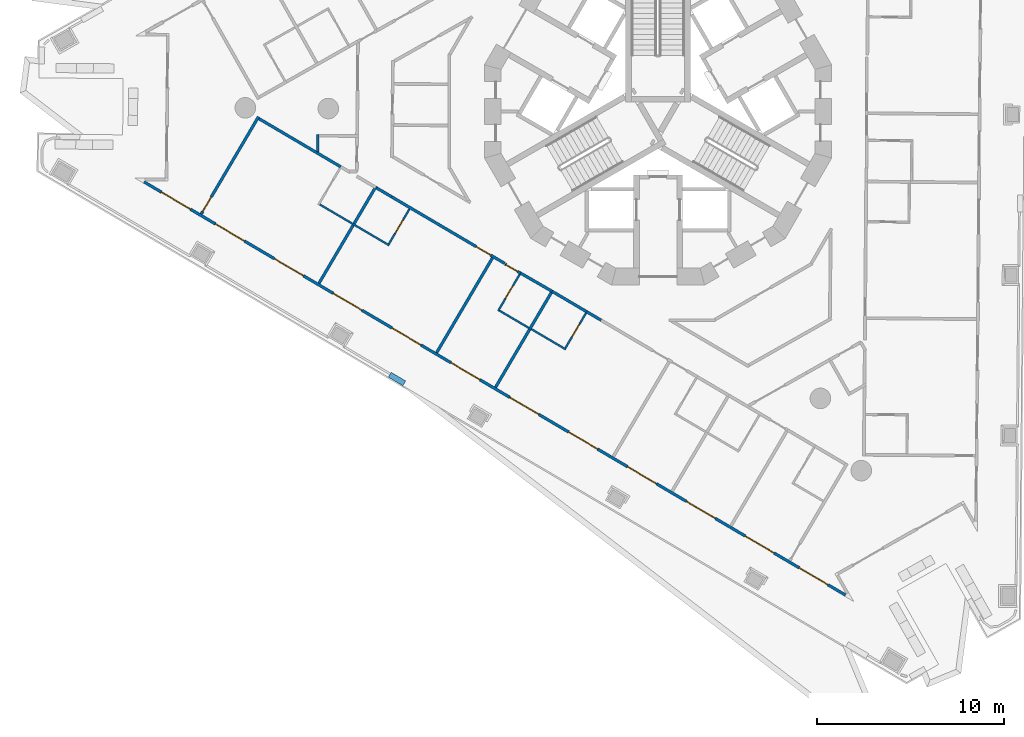
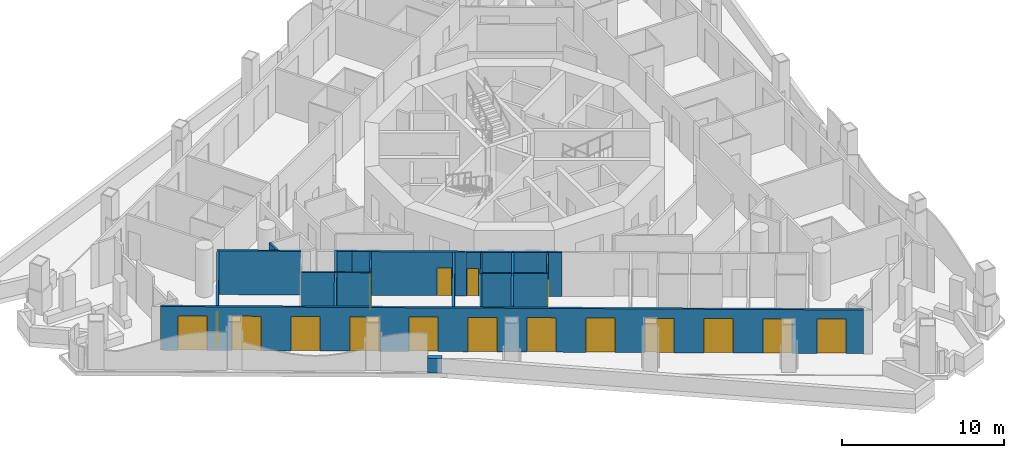
# One storey, part 2 of 18: 22 walls, 18 doors, 18 openings.
"""IFC4 building model written with IfcOpenShell, lengths in metres."""

from ifc_helpers import new_model, si_unit, direction, frame, frame_2d, origin, place, context, subcontext, project, spatial, polyline, rectangle, outline, extrude, material, layer, layer_set, type_object, element, fill, save


model = new_model("IFC4")

# Units and contexts
model_context = context("Model", 3, precision=1e-05, world=origin(), true_north=direction((0.0, 1.0)))
body_context = subcontext(model_context, "Body", "Model", "MODEL_VIEW")
ifc_project = project(units=[si_unit("LENGTHUNIT", "METRE"), si_unit("AREAUNIT", "SQUARE_METRE"), si_unit("VOLUMEUNIT", "CUBIC_METRE"), si_unit("PLANEANGLEUNIT", "RADIAN"), si_unit("MASSUNIT", "GRAM", prefix="KILO")], contexts=[model_context])

# Site, building, storey
site_placement = place(None, origin())
site = spatial("IfcSite", under=ifc_project, at=site_placement, CompositionType="ELEMENT")
building_placement = place(site_placement, origin())
building = spatial("IfcBuilding", under=site, at=building_placement, Name="Trine Commons Tower", CompositionType="ELEMENT")
storey_placement = place(building_placement, frame((0.0, 0.0, 161.10009765625)))
storey = spatial("IfcBuildingStorey", under=building, at=storey_placement, Name="L41", CompositionType="ELEMENT", Elevation=161.10009765625)

# Wall, openings, doors
ifc_material_1 = material(Name="Aluminium-framed insulated wall panel", Category="aluminium")
ifc_layer_1 = layer(ifc_material_1, 0.14990234375)
ifc_layer_set_1 = layer_set([ifc_layer_1], Name="Aluminium-framed insulated wall panel")
wall_type_1 = type_object("IfcWallType", Name="Glazed frame wall 150, EI 60", PredefinedType="SOLIDWALL", material=ifc_layer_set_1)
wall_1_placement = place(storey_placement, frame((90.139404296875, 36.59716796875, 0.0), z_axis=(0.0, 0.0, 1.0), x_axis=(-0.861630336939, 0.507536365659, 0.0)))
wall_1 = element("IfcWall", 1, at=wall_1_placement, inside=storey, type_object=wall_type_1, Name="Glazed frame wall F3", PredefinedType="SOLIDWALL", context=body_context, shape_type="SweptSolid", body=[
    extrude(outline(polyline([(0.1494140625, 0.074951171875), (0.1494140625, -0.074951171875), (43.616943359375, -0.074951171875), (43.616943359375, 0.074951171875), (0.1494140625, 0.074951171875)])), origin(), (0.0, 0.0, 1.0), 3.2998046875),
])
opening_1_placement = place(wall_1_placement, frame((1.2236328125, 0.0, 0.0)))
opening_1 = element("IfcOpeningElement", 2, at=opening_1_placement, cuts=wall_1, Name="Opening BD-5F3-01", PredefinedType="OPENING", context=body_context, shape_type="SweptSolid", body=[
    extrude(rectangle(XDim=1.800048828125, YDim=2.60009765625, at=frame_2d((0.89990234375, 1.300048828125))), frame((0.0, 0.0849609375, 0.0), z_axis=(0.0, -1.0, 0.0), x_axis=(1.0, 0.0, 0.0)), (0.0, 0.0, 1.0), 0.169921875),
])
opening_2_placement = place(wall_1_placement, frame((4.57080078125, 0.0, 0.0)))
opening_2 = element("IfcOpeningElement", 3, at=opening_2_placement, cuts=wall_1, Name="Opening BD-5F3-02", PredefinedType="OPENING", context=body_context, shape_type="SweptSolid", body=[
    extrude(rectangle(XDim=1.800048828125, YDim=2.60009765625, at=frame_2d((0.89990234375, 1.300048828125))), frame((0.0, 0.0849609375, 0.0), z_axis=(0.0, -1.0, 0.0), x_axis=(1.0, 0.0, 0.0)), (0.0, 0.0, 1.0), 0.169921875),
])
opening_3_placement = place(wall_1_placement, frame((8.218017578125, 0.0, 0.0)))
opening_3 = element("IfcOpeningElement", 4, at=opening_3_placement, cuts=wall_1, Name="Opening BD-5F3-03", PredefinedType="OPENING", context=body_context, shape_type="SweptSolid", body=[
    extrude(rectangle(XDim=1.800048828125, YDim=2.60009765625, at=frame_2d((0.89990234375, 1.300048828125))), frame((0.0, 0.0849609375, 0.0), z_axis=(0.0, -1.0, 0.0), x_axis=(1.0, 0.0, 0.0)), (0.0, 0.0, 1.0), 0.169921875),
])
opening_4_placement = place(wall_1_placement, frame((11.865234375, 0.0, 0.0)))
opening_4 = element("IfcOpeningElement", 5, at=opening_4_placement, cuts=wall_1, Name="Opening BD-5F3-04", PredefinedType="OPENING", context=body_context, shape_type="SweptSolid", body=[
    extrude(rectangle(XDim=1.800048828125, YDim=2.60009765625, at=frame_2d((0.89990234375, 1.300048828125))), frame((0.0, 0.0849609375, 0.0), z_axis=(0.0, -1.0, 0.0), x_axis=(1.0, 0.0, 0.0)), (0.0, 0.0, 1.0), 0.169921875),
])
opening_5_placement = place(wall_1_placement, frame((15.512451171875, 0.0, 0.0)))
opening_5 = element("IfcOpeningElement", 6, at=opening_5_placement, cuts=wall_1, Name="Opening BD-5F3-05", PredefinedType="OPENING", context=body_context, shape_type="SweptSolid", body=[
    extrude(rectangle(XDim=1.800048828125, YDim=2.60009765625, at=frame_2d((0.89990234375, 1.300048828125))), frame((0.0, 0.0849609375, 0.0), z_axis=(0.0, -1.0, 0.0), x_axis=(1.0, 0.0, 0.0)), (0.0, 0.0, 1.0), 0.169921875),
])
opening_6_placement = place(wall_1_placement, frame((19.15966796875, 0.0, 0.0)))
opening_6 = element("IfcOpeningElement", 7, at=opening_6_placement, cuts=wall_1, Name="Opening BD-5F3-06", PredefinedType="OPENING", context=body_context, shape_type="SweptSolid", body=[
    extrude(rectangle(XDim=1.800048828125, YDim=2.60009765625, at=frame_2d((0.89990234375, 1.300048828125))), frame((0.0, 0.0849609375, 0.0), z_axis=(0.0, -1.0, 0.0), x_axis=(1.0, 0.0, 0.0)), (0.0, 0.0, 1.0), 0.169921875),
])
opening_7_placement = place(wall_1_placement, frame((22.806884765625, 0.0, 0.0)))
opening_7 = element("IfcOpeningElement", 8, at=opening_7_placement, cuts=wall_1, Name="Opening BD-5F3-07", PredefinedType="OPENING", context=body_context, shape_type="SweptSolid", body=[
    extrude(rectangle(XDim=1.800048828125, YDim=2.60009765625, at=frame_2d((0.89990234375, 1.300048828125))), frame((0.0, 0.0849609375, 0.0), z_axis=(0.0, -1.0, 0.0), x_axis=(1.0, 0.0, 0.0)), (0.0, 0.0, 1.0), 0.169921875),
])
opening_8_placement = place(wall_1_placement, frame((26.4541015625, 0.0, 0.0)))
opening_8 = element("IfcOpeningElement", 9, at=opening_8_placement, cuts=wall_1, Name="Opening BD-5F3-08", PredefinedType="OPENING", context=body_context, shape_type="SweptSolid", body=[
    extrude(rectangle(XDim=1.800048828125, YDim=2.60009765625, at=frame_2d((0.89990234375, 1.300048828125))), frame((0.0, 0.0849609375, 0.0), z_axis=(0.0, -1.0, 0.0), x_axis=(1.0, 0.0, 0.0)), (0.0, 0.0, 1.0), 0.169921875),
])
opening_9_placement = place(wall_1_placement, frame((30.101318359375, 0.0, 0.0)))
opening_9 = element("IfcOpeningElement", 10, at=opening_9_placement, cuts=wall_1, Name="Opening BD-5F3-09", PredefinedType="OPENING", context=body_context, shape_type="SweptSolid", body=[
    extrude(rectangle(XDim=1.800048828125, YDim=2.60009765625, at=frame_2d((0.89990234375, 1.300048828125))), frame((0.0, 0.0849609375, 0.0), z_axis=(0.0, -1.0, 0.0), x_axis=(1.0, 0.0, 0.0)), (0.0, 0.0, 1.0), 0.169921875),
])
opening_10_placement = place(wall_1_placement, frame((33.748291015625, 0.0, 0.0)))
opening_10 = element("IfcOpeningElement", 11, at=opening_10_placement, cuts=wall_1, Name="Opening BD-5F3-10", PredefinedType="OPENING", context=body_context, shape_type="SweptSolid", body=[
    extrude(rectangle(XDim=1.800048828125, YDim=2.60009765625, at=frame_2d((0.89990234375, 1.300048828125))), frame((0.0, 0.0849609375, 0.0), z_axis=(0.0, -1.0, 0.0), x_axis=(1.0, 0.0, 0.0)), (0.0, 0.0, 1.0), 0.169921875),
])
opening_11_placement = place(wall_1_placement, frame((37.3955078125, 0.0, 0.0)))
opening_11 = element("IfcOpeningElement", 12, at=opening_11_placement, cuts=wall_1, Name="Opening BD-5F3-11", PredefinedType="OPENING", context=body_context, shape_type="SweptSolid", body=[
    extrude(rectangle(XDim=1.800048828125, YDim=2.60009765625, at=frame_2d((0.89990234375, 1.300048828125))), frame((0.0, 0.0849609375, 0.0), z_axis=(0.0, -1.0, 0.0), x_axis=(1.0, 0.0, 0.0)), (0.0, 0.0, 1.0), 0.169921875),
])
opening_12_placement = place(wall_1_placement, frame((40.742919921875, 0.0, 0.0)))
opening_12 = element("IfcOpeningElement", 13, at=opening_12_placement, cuts=wall_1, Name="Opening BD-5F3-12", PredefinedType="OPENING", context=body_context, shape_type="SweptSolid", body=[
    extrude(rectangle(XDim=1.800048828125, YDim=2.60009765625, at=frame_2d((0.89990234375, 1.300048828125))), frame((0.0, 0.0849609375, 0.0), z_axis=(0.0, -1.0, 0.0), x_axis=(1.0, 0.0, 0.0)), (0.0, 0.0, 1.0), 0.169921875),
])
ifc_material_2 = material(Name="Anodised aluminium frame with double glazing", Category="aluminium")
door_type_1 = type_object("IfcDoorType", Name="Sliding loggia door 1800x2600", OperationType="SLIDING_TO_LEFT", PredefinedType="DOOR", material=ifc_material_2)
door_1_placement = place(opening_1_placement, origin())
door_1 = element("IfcDoor", 14, at=door_1_placement, inside=storey, type_object=door_type_1, Name="Loggia door F3 1", OperationType="SLIDING_TO_LEFT", OverallHeight=2.60009765625, OverallWidth=1.800048828125, PredefinedType="DOOR", context=body_context, shape_type="SweptSolid", body=[
    extrude(rectangle(XDim=1.800048828125, YDim=2.60009765625, at=frame_2d((0.89990234375, 1.300048828125))), frame((0.0, 0.02490234375, 0.0), z_axis=(0.0, -1.0, 0.0), x_axis=(1.0, 0.0, 0.0)), (0.0, 0.0, 1.0), 0.050048828125),
])
fill(opening_1, door_1)
door_2_placement = place(opening_2_placement, origin())
door_2 = element("IfcDoor", 15, at=door_2_placement, inside=storey, type_object=door_type_1, Name="Loggia door F3 2", OperationType="SLIDING_TO_LEFT", OverallHeight=2.60009765625, OverallWidth=1.800048828125, PredefinedType="DOOR", context=body_context, shape_type="SweptSolid", body=[
    extrude(rectangle(XDim=1.800048828125, YDim=2.60009765625, at=frame_2d((0.89990234375, 1.300048828125))), frame((0.0, 0.02490234375, 0.0), z_axis=(0.0, -1.0, 0.0), x_axis=(1.0, 0.0, 0.0)), (0.0, 0.0, 1.0), 0.050048828125),
])
fill(opening_2, door_2)
door_3_placement = place(opening_3_placement, origin())
door_3 = element("IfcDoor", 16, at=door_3_placement, inside=storey, type_object=door_type_1, Name="Loggia door F3 3", OperationType="SLIDING_TO_LEFT", OverallHeight=2.60009765625, OverallWidth=1.800048828125, PredefinedType="DOOR", context=body_context, shape_type="SweptSolid", body=[
    extrude(rectangle(XDim=1.800048828125, YDim=2.60009765625, at=frame_2d((0.89990234375, 1.300048828125))), frame((0.0, 0.02490234375, 0.0), z_axis=(0.0, -1.0, 0.0), x_axis=(1.0, 0.0, 0.0)), (0.0, 0.0, 1.0), 0.050048828125),
])
fill(opening_3, door_3)
door_4_placement = place(opening_4_placement, origin())
door_4 = element("IfcDoor", 17, at=door_4_placement, inside=storey, type_object=door_type_1, Name="Loggia door F3 4", OperationType="SLIDING_TO_LEFT", OverallHeight=2.60009765625, OverallWidth=1.800048828125, PredefinedType="DOOR", context=body_context, shape_type="SweptSolid", body=[
    extrude(rectangle(XDim=1.800048828125, YDim=2.60009765625, at=frame_2d((0.89990234375, 1.300048828125))), frame((0.0, 0.02490234375, 0.0), z_axis=(0.0, -1.0, 0.0), x_axis=(1.0, 0.0, 0.0)), (0.0, 0.0, 1.0), 0.050048828125),
])
fill(opening_4, door_4)
door_5_placement = place(opening_5_placement, origin())
door_5 = element("IfcDoor", 18, at=door_5_placement, inside=storey, type_object=door_type_1, Name="Loggia door F3 5", OperationType="SLIDING_TO_LEFT", OverallHeight=2.60009765625, OverallWidth=1.800048828125, PredefinedType="DOOR", context=body_context, shape_type="SweptSolid", body=[
    extrude(rectangle(XDim=1.800048828125, YDim=2.60009765625, at=frame_2d((0.89990234375, 1.300048828125))), frame((0.0, 0.02490234375, 0.0), z_axis=(0.0, -1.0, 0.0), x_axis=(1.0, 0.0, 0.0)), (0.0, 0.0, 1.0), 0.050048828125),
])
fill(opening_5, door_5)
door_6_placement = place(opening_6_placement, origin())
door_6 = element("IfcDoor", 19, at=door_6_placement, inside=storey, type_object=door_type_1, Name="Loggia door F3 6", OperationType="SLIDING_TO_LEFT", OverallHeight=2.60009765625, OverallWidth=1.800048828125, PredefinedType="DOOR", context=body_context, shape_type="SweptSolid", body=[
    extrude(rectangle(XDim=1.800048828125, YDim=2.60009765625, at=frame_2d((0.89990234375, 1.300048828125))), frame((0.0, 0.02490234375, 0.0), z_axis=(0.0, -1.0, 0.0), x_axis=(1.0, 0.0, 0.0)), (0.0, 0.0, 1.0), 0.050048828125),
])
fill(opening_6, door_6)
door_7_placement = place(opening_7_placement, origin())
door_7 = element("IfcDoor", 20, at=door_7_placement, inside=storey, type_object=door_type_1, Name="Loggia door F3 7", OperationType="SLIDING_TO_LEFT", OverallHeight=2.60009765625, OverallWidth=1.800048828125, PredefinedType="DOOR", context=body_context, shape_type="SweptSolid", body=[
    extrude(rectangle(XDim=1.800048828125, YDim=2.60009765625, at=frame_2d((0.89990234375, 1.300048828125))), frame((0.0, 0.02490234375, 0.0), z_axis=(0.0, -1.0, 0.0), x_axis=(1.0, 0.0, 0.0)), (0.0, 0.0, 1.0), 0.050048828125),
])
fill(opening_7, door_7)
door_8_placement = place(opening_8_placement, origin())
door_8 = element("IfcDoor", 21, at=door_8_placement, inside=storey, type_object=door_type_1, Name="Loggia door F3 8", OperationType="SLIDING_TO_LEFT", OverallHeight=2.60009765625, OverallWidth=1.800048828125, PredefinedType="DOOR", context=body_context, shape_type="SweptSolid", body=[
    extrude(rectangle(XDim=1.800048828125, YDim=2.60009765625, at=frame_2d((0.89990234375, 1.300048828125))), frame((0.0, 0.02490234375, 0.0), z_axis=(0.0, -1.0, 0.0), x_axis=(1.0, 0.0, 0.0)), (0.0, 0.0, 1.0), 0.050048828125),
])
fill(opening_8, door_8)
door_9_placement = place(opening_9_placement, origin())
door_9 = element("IfcDoor", 22, at=door_9_placement, inside=storey, type_object=door_type_1, Name="Loggia door F3 9", OperationType="SLIDING_TO_LEFT", OverallHeight=2.60009765625, OverallWidth=1.800048828125, PredefinedType="DOOR", context=body_context, shape_type="SweptSolid", body=[
    extrude(rectangle(XDim=1.800048828125, YDim=2.60009765625, at=frame_2d((0.89990234375, 1.300048828125))), frame((0.0, 0.02490234375, 0.0), z_axis=(0.0, -1.0, 0.0), x_axis=(1.0, 0.0, 0.0)), (0.0, 0.0, 1.0), 0.050048828125),
])
fill(opening_9, door_9)
door_10_placement = place(opening_10_placement, origin())
door_10 = element("IfcDoor", 23, at=door_10_placement, inside=storey, type_object=door_type_1, Name="Loggia door F3 10", OperationType="SLIDING_TO_LEFT", OverallHeight=2.60009765625, OverallWidth=1.800048828125, PredefinedType="DOOR", context=body_context, shape_type="SweptSolid", body=[
    extrude(rectangle(XDim=1.800048828125, YDim=2.60009765625, at=frame_2d((0.89990234375, 1.300048828125))), frame((0.0, 0.02490234375, 0.0), z_axis=(0.0, -1.0, 0.0), x_axis=(1.0, 0.0, 0.0)), (0.0, 0.0, 1.0), 0.050048828125),
])
fill(opening_10, door_10)
door_11_placement = place(opening_11_placement, origin())
door_11 = element("IfcDoor", 24, at=door_11_placement, inside=storey, type_object=door_type_1, Name="Loggia door F3 11", OperationType="SLIDING_TO_LEFT", OverallHeight=2.60009765625, OverallWidth=1.800048828125, PredefinedType="DOOR", context=body_context, shape_type="SweptSolid", body=[
    extrude(rectangle(XDim=1.800048828125, YDim=2.60009765625, at=frame_2d((0.89990234375, 1.300048828125))), frame((0.0, 0.02490234375, 0.0), z_axis=(0.0, -1.0, 0.0), x_axis=(1.0, 0.0, 0.0)), (0.0, 0.0, 1.0), 0.050048828125),
])
fill(opening_11, door_11)
door_12_placement = place(opening_12_placement, origin())
door_12 = element("IfcDoor", 25, at=door_12_placement, inside=storey, type_object=door_type_1, Name="Loggia door F3 12", OperationType="SLIDING_TO_LEFT", OverallHeight=2.60009765625, OverallWidth=1.800048828125, PredefinedType="DOOR", context=body_context, shape_type="SweptSolid", body=[
    extrude(rectangle(XDim=1.800048828125, YDim=2.60009765625, at=frame_2d((0.89990234375, 1.300048828125))), frame((0.0, 0.02490234375, 0.0), z_axis=(0.0, -1.0, 0.0), x_axis=(1.0, 0.0, 0.0)), (0.0, 0.0, 1.0), 0.050048828125),
])
fill(opening_12, door_12)

# Wall
ifc_material_3 = material(Name="Limestone, honed", Category="masonry")
ifc_layer_2 = layer(ifc_material_3, 0.300048828125)
ifc_layer_set_2 = layer_set([ifc_layer_2], Name="Limestone, honed")
wall_type_2 = type_object("IfcWallType", Name="Stone parapet 300", PredefinedType="PARAPET", material=ifc_layer_set_2)
wall_2_placement = place(storey_placement, origin())
element("IfcWall", 26, at=wall_2_placement, inside=storey, type_object=wall_type_2, Name="Sliver roof parapet extension L40 3.X1", PredefinedType="PARAPET", context=body_context, shape_type="SweptSolid", body=[
    extrude(outline(polyline([(66.526123046875, 48.10986328125), (65.75048828125, 48.566650390625), (65.598388671875, 48.30810546875), (66.373779296875, 47.851318359375), (66.526123046875, 48.10986328125)])), origin(), (0.0, 0.0, 1.0), 1.099853515625),
])

# Wall, opening, door
ifc_material_4 = material(Name="Gypsum plasterboard on steel stud", Category="steel")
ifc_layer_3 = layer(ifc_material_4, 0.14990234375)
ifc_layer_set_3 = layer_set([ifc_layer_3], Name="Gypsum plasterboard on steel stud")
wall_type_3 = type_object("IfcWallType", Name="Unit and corridor wall 150 mm, EI 60", PredefinedType="PARTITIONING", material=ifc_layer_set_3)
wall_3_placement = place(storey_placement, frame((55.609375, 57.0234375, 0.0), z_axis=(0.0, 0.0, 1.0), x_axis=(0.507512364089, 0.861644474419, 0.0)))
wall_3 = element("IfcWall", 27, at=wall_3_placement, inside=storey, type_object=wall_type_3, Name="Partition 001", PredefinedType="PARTITIONING", context=body_context, shape_type="SweptSolid", body=[
    extrude(rectangle(XDim=6.024658203125, YDim=0.14990234375, at=frame_2d((3.01220703125, 0.0))), origin(), (0.0, 0.0, 1.0), 3.2998046875),
])
opening_13_placement = place(wall_3_placement, frame((0.14990234375, 0.0, 0.0)))
opening_13 = element("IfcOpeningElement", 28, at=opening_13_placement, cuts=wall_3, Name="Opening D-5A25", PredefinedType="OPENING", context=body_context, shape_type="SweptSolid", body=[
    extrude(rectangle(XDim=0.89990234375, YDim=2.10009765625, at=frame_2d((0.449951171875, 1.050048828125))), frame((0.0, 0.0849609375, 0.0), z_axis=(0.0, -1.0, 0.0), x_axis=(1.0, 0.0, 0.0)), (0.0, 0.0, 1.0), 0.169921875),
])
ifc_material_5 = material(Name="Timber fire door set", Category="wood")
door_type_2 = type_object("IfcDoorType", Name="Bedroom door 900 x 2100, FD30S", OperationType="NOTDEFINED", PredefinedType="DOOR", material=ifc_material_5)
door_13_placement = place(opening_13_placement, frame((0.89990234375, 0.0, 0.0), z_axis=(0.0, 0.0, 1.0), x_axis=(-1.0, 0.0, 0.0)))
door_13 = element("IfcDoor", 29, at=door_13_placement, inside=storey, type_object=door_type_2, Name="Door D-5A25", OperationType="SINGLE_SWING_RIGHT", OverallHeight=2.10009765625, OverallWidth=0.89990234375, PredefinedType="DOOR", context=body_context, shape_type="SweptSolid", body=[
    extrude(rectangle(XDim=0.89990234375, YDim=2.10009765625, at=frame_2d((0.449951171875, 1.050048828125))), frame((0.0, 0.02490234375, 0.0), z_axis=(0.0, -1.0, 0.0), x_axis=(1.0, 0.0, 0.0)), (0.0, 0.0, 1.0), 0.050048828125),
])
fill(opening_13, door_13)

# Walls
wall_4_placement = place(storey_placement, frame((58.693603515625, 62.11181640625, 0.0), z_axis=(0.0, 0.0, 1.0), x_axis=(0.861647069411, -0.507507958336, 0.0)))
element("IfcWall", 30, at=wall_4_placement, inside=storey, type_object=wall_type_3, Name="Partition 003", PredefinedType="PARTITIONING", context=body_context, shape_type="SweptSolid", body=[
    extrude(rectangle(XDim=5.0732421875, YDim=0.14990234375, at=frame_2d((2.53662109375, 0.0))), origin(), (0.0, 0.0, 1.0), 3.2998046875),
])
wall_5_placement = place(storey_placement, frame((61.82568359375, 60.343017578125, 0.0), z_axis=(0.0, 0.0, 1.0), x_axis=(0.008337386084, 0.999965243393, 0.0)))
element("IfcWall", 31, at=wall_5_placement, inside=storey, type_object=wall_type_3, Name="Partition 010", PredefinedType="PARTITIONING", context=body_context, shape_type="SweptSolid", body=[
    extrude(rectangle(XDim=0.93701171875, YDim=0.14990234375, at=frame_2d((0.468505859375, 0.0))), origin(), (0.0, 0.0, 1.0), 3.2998046875),
])
wall_6_placement = place(storey_placement, frame((61.894287109375, 53.321533203125, 0.0), z_axis=(0.0, 0.0, 1.0), x_axis=(0.507657247854, 0.86155912084, 0.0)))
element("IfcWall", 32, at=wall_6_placement, inside=storey, type_object=wall_type_3, Name="Partition 012", PredefinedType="PARTITIONING", context=body_context, shape_type="SweptSolid", body=[
    extrude(rectangle(XDim=3.599609375, YDim=0.14990234375, at=frame_2d((1.7998046875, 0.0))), origin(), (0.0, 0.0, 1.0), 3.2998046875),
])
wall_7_placement = place(storey_placement, frame((63.7724609375, 56.509033203125, 0.0), z_axis=(0.0, 0.0, 1.0), x_axis=(0.507359649966, 0.861734405479, 0.0)))
element("IfcWall", 33, at=wall_7_placement, inside=storey, type_object=wall_type_3, Name="Partition 020", PredefinedType="PARTITIONING", context=body_context, shape_type="SweptSolid", body=[
    extrude(rectangle(XDim=2.3251953125, YDim=0.14990234375, at=frame_2d((1.16259765625, 0.0))), origin(), (0.0, 0.0, 1.0), 3.2998046875),
])
wall_8_placement = place(storey_placement, frame((64.9755859375, 58.411865234375, 0.0), z_axis=(0.0, 0.0, 1.0), x_axis=(0.861348284073, -0.508014894982, 0.0)))
element("IfcWall", 34, at=wall_8_placement, inside=storey, type_object=wall_type_3, Name="Partition 025", PredefinedType="PARTITIONING", context=body_context, shape_type="SweptSolid", body=[
    extrude(rectangle(XDim=0.932861328125, YDim=0.14990234375, at=frame_2d((0.46630859375, 0.0))), origin(), (0.0, 0.0, 1.0), 3.2998046875),
])

# Wall, opening, door
wall_9_placement = place(storey_placement, frame((65.779052734375, 57.93798828125, 0.0), z_axis=(0.0, 0.0, 1.0), x_axis=(0.861623120435, -0.507548616718, 0.0)))
wall_9 = element("IfcWall", 35, at=wall_9_placement, inside=storey, type_object=wall_type_3, Name="Partition 028", PredefinedType="PARTITIONING", context=body_context, shape_type="SweptSolid", body=[
    extrude(rectangle(XDim=7.004150390625, YDim=0.14990234375, at=frame_2d((3.501953125, 0.0))), origin(), (0.0, 0.0, 1.0), 3.2998046875),
])
opening_14_placement = place(wall_9_placement, frame((5.240478515625, 0.0, 0.0)))
opening_14 = element("IfcOpeningElement", 36, at=opening_14_placement, cuts=wall_9, Name="Opening D-5A24", PredefinedType="OPENING", context=body_context, shape_type="SweptSolid", body=[
    extrude(rectangle(XDim=0.89990234375, YDim=2.10009765625, at=frame_2d((0.449951171875, 1.050048828125))), frame((0.0, 0.0849609375, 0.0), z_axis=(0.0, -1.0, 0.0), x_axis=(1.0, 0.0, 0.0)), (0.0, 0.0, 1.0), 0.169921875),
])
door_14_placement = place(opening_14_placement, frame((0.89990234375, 0.0, 0.0), z_axis=(0.0, 0.0, 1.0), x_axis=(-1.0, 0.0, 0.0)))
door_14 = element("IfcDoor", 37, at=door_14_placement, inside=storey, type_object=door_type_2, Name="Door D-5A24", OperationType="SINGLE_SWING_LEFT", OverallHeight=2.10009765625, OverallWidth=0.89990234375, PredefinedType="DOOR", context=body_context, shape_type="SweptSolid", body=[
    extrude(rectangle(XDim=0.89990234375, YDim=2.10009765625, at=frame_2d((0.449951171875, 1.050048828125))), frame((0.0, 0.02490234375, 0.0), z_axis=(0.0, -1.0, 0.0), x_axis=(1.0, 0.0, 0.0)), (0.0, 0.0, 1.0), 0.050048828125),
])
fill(opening_14, door_14)

# Walls
wall_10_placement = place(storey_placement, frame((68.17919921875, 49.619384765625, 0.0), z_axis=(0.0, 0.0, 1.0), x_axis=(0.507603061138, 0.861591047031, 0.0)))
element("IfcWall", 38, at=wall_10_placement, inside=storey, type_object=wall_type_3, Name="Partition 036", PredefinedType="PARTITIONING", context=body_context, shape_type="SweptSolid", body=[
    extrude(rectangle(XDim=5.8740234375, YDim=0.14990234375, at=frame_2d((2.93701171875, 0.0))), origin(), (0.0, 0.0, 1.0), 3.2998046875),
])
wall_11_placement = place(storey_placement, frame((71.322265625, 47.7685546875, 0.0), z_axis=(0.0, 0.0, 1.0), x_axis=(0.507419363551, 0.861699245383, 0.0)))
element("IfcWall", 39, at=wall_11_placement, inside=storey, type_object=wall_type_3, Name="Partition 040", PredefinedType="PARTITIONING", context=body_context, shape_type="SweptSolid", body=[
    extrude(rectangle(XDim=3.6875, YDim=0.14990234375, at=frame_2d((1.84375, 0.0))), origin(), (0.0, 0.0, 1.0), 3.2998046875),
])

# Wall, opening, door
wall_12_placement = place(storey_placement, frame((71.839111328125, 54.339111328125, 0.0), z_axis=(0.0, 0.0, 1.0), x_axis=(0.865780375256, -0.500424161908, 0.0)))
wall_12 = element("IfcWall", 40, at=wall_12_placement, inside=storey, type_object=wall_type_3, Name="Partition 046", PredefinedType="PARTITIONING", context=body_context, shape_type="SweptSolid", body=[
    extrude(rectangle(XDim=0.943603515625, YDim=0.14990234375, at=frame_2d((0.4716796875, 0.0))), origin(), (0.0, 0.0, 1.0), 3.2998046875),
])
opening_15_placement = place(wall_12_placement, frame((0.06396484375, 0.0, 0.0)))
opening_15 = element("IfcOpeningElement", 41, at=opening_15_placement, cuts=wall_12, Name="Opening D-5A23", PredefinedType="OPENING", context=body_context, shape_type="SweptSolid", body=[
    extrude(rectangle(XDim=0.699951171875, YDim=2.10009765625, at=frame_2d((0.35009765625, 1.050048828125))), frame((0.0, 0.0849609375, 0.0), z_axis=(0.0, -1.0, 0.0), x_axis=(1.0, 0.0, 0.0)), (0.0, 0.0, 1.0), 0.169921875),
])
door_type_3 = type_object("IfcDoorType", Name="Bedroom door 700 x 2100, FD30S", OperationType="NOTDEFINED", PredefinedType="DOOR", material=ifc_material_5)
door_15_placement = place(opening_15_placement, frame((0.699951171875, 0.0, 0.0), z_axis=(0.0, 0.0, 1.0), x_axis=(-1.0, 0.0, 0.0)))
door_15 = element("IfcDoor", 42, at=door_15_placement, inside=storey, type_object=door_type_3, Name="Door D-5A23", OperationType="SINGLE_SWING_RIGHT", OverallHeight=2.10009765625, OverallWidth=0.699951171875, PredefinedType="DOOR", context=body_context, shape_type="SweptSolid", body=[
    extrude(rectangle(XDim=0.699951171875, YDim=2.10009765625, at=frame_2d((0.35009765625, 1.050048828125))), frame((0.0, 0.02490234375, 0.0), z_axis=(0.0, -1.0, 0.0), x_axis=(1.0, 0.0, 0.0)), (0.0, 0.0, 1.0), 0.050048828125),
])
fill(opening_15, door_15)

# Walls
wall_13_placement = place(storey_placement, frame((72.606689453125, 53.89599609375, 0.0), z_axis=(0.0, 0.0, 1.0), x_axis=(0.866136921896, -0.4998067952, 0.0)))
element("IfcWall", 43, at=wall_13_placement, inside=storey, type_object=wall_type_3, Name="Partition 049", PredefinedType="PARTITIONING", context=body_context, shape_type="SweptSolid", body=[
    extrude(rectangle(XDim=2.004638671875, YDim=0.14990234375, at=frame_2d((1.00244140625, 0.0))), origin(), (0.0, 0.0, 1.0), 3.2998046875),
])
wall_14_placement = place(storey_placement, frame((73.148681640625, 50.869873046875, 0.0), z_axis=(0.0, 0.0, 1.0), x_axis=(0.507882922516, 0.861426106533, 0.0)))
element("IfcWall", 44, at=wall_14_placement, inside=storey, type_object=wall_type_3, Name="Partition 050", PredefinedType="PARTITIONING", context=body_context, shape_type="SweptSolid", body=[
    extrude(rectangle(XDim=2.274658203125, YDim=0.14990234375, at=frame_2d((1.13720703125, 0.0))), origin(), (0.0, 0.0, 1.0), 3.2998046875),
])
wall_15_placement = place(storey_placement, frame((74.343017578125, 52.89306640625, 0.0), z_axis=(0.0, 0.0, 1.0), x_axis=(0.861685778752, -0.507442231882, 0.0)))
element("IfcWall", 45, at=wall_15_placement, inside=storey, type_object=wall_type_3, Name="Partition 053", PredefinedType="PARTITIONING", context=body_context, shape_type="SweptSolid", body=[
    extrude(rectangle(XDim=2.148193359375, YDim=0.14990234375, at=frame_2d((1.07421875, 0.0))), origin(), (0.0, 0.0, 1.0), 3.2998046875),
])
wall_16_placement = place(storey_placement, frame((76.194091796875, 51.802978515625, 0.0), z_axis=(0.0, 0.0, 1.0), x_axis=(0.861814436452, -0.507223695349, 0.0)))
element("IfcWall", 46, at=wall_16_placement, inside=storey, type_object=wall_type_3, Name="Partition 057", PredefinedType="PARTITIONING", context=body_context, shape_type="SweptSolid", body=[
    extrude(rectangle(XDim=0.890869140625, YDim=0.14990234375, at=frame_2d((0.4453125, 0.0))), origin(), (0.0, 0.0, 1.0), 3.2998046875),
])
ifc_layer_4 = layer(ifc_material_4, 0.10009765625)
ifc_layer_set_4 = layer_set([ifc_layer_4], Name="Gypsum plasterboard on steel stud")
wall_type_4 = type_object("IfcWallType", Name="Unit partition 100 mm, no rating", PredefinedType="PARTITIONING", material=ifc_layer_set_4)
wall_17_placement = place(storey_placement, frame((61.93701171875, 57.531494140625, 0.0), z_axis=(0.0, 0.0, 1.0), x_axis=(0.861687435641, -0.507439418313, 0.0)))
element("IfcWall", 47, at=wall_17_placement, inside=storey, type_object=wall_type_4, Name="Partition 014", PredefinedType="PARTITIONING", context=body_context, shape_type="SweptSolid", body=[
    extrude(rectangle(XDim=4.2998046875, YDim=0.10009765625, at=frame_2d((2.14990234375, 0.0))), origin(), (0.0, 0.0, 1.0), 3.2998046875),
])

# Wall, opening, door
wall_18_placement = place(storey_placement, frame((65.62451171875, 55.418212890625, 0.0), z_axis=(0.0, 0.0, 1.0), x_axis=(0.507893177668, 0.861420060179, 0.0)))
wall_18 = element("IfcWall", 48, at=wall_18_placement, inside=storey, type_object=wall_type_4, Name="Partition 027", PredefinedType="PARTITIONING", context=body_context, shape_type="SweptSolid", body=[
    extrude(rectangle(XDim=2.174560546875, YDim=0.10009765625, at=frame_2d((1.08740234375, 0.0))), origin(), (0.0, 0.0, 1.0), 3.2998046875),
])
opening_16_placement = place(wall_18_placement, frame((0.687255859375, 0.0, 0.0)))
opening_16 = element("IfcOpeningElement", 49, at=opening_16_placement, cuts=wall_18, Name="Opening D-5A49", PredefinedType="OPENING", context=body_context, shape_type="SweptSolid", body=[
    extrude(rectangle(XDim=0.800048828125, YDim=2.10009765625, at=frame_2d((0.39990234375, 1.050048828125))), frame((0.0, 0.06005859375, 0.0), z_axis=(0.0, -1.0, 0.0), x_axis=(1.0, 0.0, 0.0)), (0.0, 0.0, 1.0), 0.1201171875),
])
ifc_material_6 = material(Name="Painted timber", Category="wood")
door_type_4 = type_object("IfcDoorType", Name="Internal door 800 x 2100, NOT RATED", OperationType="NOTDEFINED", PredefinedType="DOOR", material=ifc_material_6)
door_16_placement = place(opening_16_placement, frame((0.800048828125, 0.0, 0.0), z_axis=(0.0, 0.0, 1.0), x_axis=(-1.0, 0.0, 0.0)))
door_16 = element("IfcDoor", 50, at=door_16_placement, inside=storey, type_object=door_type_4, Name="Door D-5A49", OperationType="SINGLE_SWING_RIGHT", OverallHeight=2.10009765625, OverallWidth=0.800048828125, PredefinedType="DOOR", context=body_context, shape_type="SweptSolid", body=[
    extrude(rectangle(XDim=0.800048828125, YDim=2.10009765625, at=frame_2d((0.39990234375, 1.050048828125))), frame((0.0, 0.02490234375, 0.0), z_axis=(0.0, -1.0, 0.0), x_axis=(1.0, 0.0, 0.0)), (0.0, 0.0, 1.0), 0.050048828125),
])
fill(opening_16, door_16)

wall_19_placement = place(storey_placement, frame((71.461669921875, 51.845947265625, 0.0), z_axis=(0.0, 0.0, 1.0), x_axis=(0.507433164297, 0.861691118541, 0.0)))
wall_19 = element("IfcWall", 51, at=wall_19_placement, inside=storey, type_object=wall_type_4, Name="Partition 041", PredefinedType="PARTITIONING", context=body_context, shape_type="SweptSolid", body=[
    extrude(rectangle(XDim=2.27294921875, YDim=0.10009765625, at=frame_2d((1.136474609375, 0.0))), origin(), (0.0, 0.0, 1.0), 3.2998046875),
])
opening_17_placement = place(wall_19_placement, frame((0.761474609375, 0.0, 0.0)))
opening_17 = element("IfcOpeningElement", 52, at=opening_17_placement, cuts=wall_19, Name="Opening D-5A48", PredefinedType="OPENING", context=body_context, shape_type="SweptSolid", body=[
    extrude(rectangle(XDim=0.800048828125, YDim=2.10009765625, at=frame_2d((0.39990234375, 1.050048828125))), frame((0.0, 0.06005859375, 0.0), z_axis=(0.0, -1.0, 0.0), x_axis=(1.0, 0.0, 0.0)), (0.0, 0.0, 1.0), 0.1201171875),
])
door_17_placement = place(opening_17_placement, origin())
door_17 = element("IfcDoor", 53, at=door_17_placement, inside=storey, type_object=door_type_4, Name="Door D-5A48", OperationType="SINGLE_SWING_RIGHT", OverallHeight=2.10009765625, OverallWidth=0.800048828125, PredefinedType="DOOR", context=body_context, shape_type="SweptSolid", body=[
    extrude(rectangle(XDim=0.800048828125, YDim=2.10009765625, at=frame_2d((0.39990234375, 1.050048828125))), frame((0.0, 0.02490234375, 0.0), z_axis=(0.0, -1.0, 0.0), x_axis=(1.0, 0.0, 0.0)), (0.0, 0.0, 1.0), 0.050048828125),
])
fill(opening_17, door_17)

# Walls
wall_20_placement = place(storey_placement, frame((71.530029296875, 51.863525390625, 0.0), z_axis=(0.0, 0.0, 1.0), x_axis=(0.861772491813, -0.507294955972, 0.0)))
element("IfcWall", 54, at=wall_20_placement, inside=storey, type_object=wall_type_4, Name="Partition 042", PredefinedType="PARTITIONING", context=body_context, shape_type="SweptSolid", body=[
    extrude(rectangle(XDim=1.824462890625, YDim=0.10009765625, at=frame_2d((0.912109375, 0.0))), origin(), (0.0, 0.0, 1.0), 3.2998046875),
])
wall_21_placement = place(storey_placement, frame((73.238525390625, 50.875, 0.0), z_axis=(0.0, 0.0, 1.0), x_axis=(0.861529491654, -0.507707529006, 0.0)))
element("IfcWall", 55, at=wall_21_placement, inside=storey, type_object=wall_type_4, Name="Partition 051", PredefinedType="PARTITIONING", context=body_context, shape_type="SweptSolid", body=[
    extrude(rectangle(XDim=2.1259765625, YDim=0.10009765625, at=frame_2d((1.06298828125, 0.0))), origin(), (0.0, 0.0, 1.0), 3.2998046875),
])

# Wall, opening, door
wall_22_placement = place(storey_placement, frame((75.052490234375, 49.864013671875, 0.0), z_axis=(0.0, 0.0, 1.0), x_axis=(0.507363468798, 0.861732157071, 0.0)))
wall_22 = element("IfcWall", 56, at=wall_22_placement, inside=storey, type_object=wall_type_4, Name="Partition 055", PredefinedType="PARTITIONING", context=body_context, shape_type="SweptSolid", body=[
    extrude(rectangle(XDim=2.175048828125, YDim=0.10009765625, at=frame_2d((1.08740234375, 0.0))), origin(), (0.0, 0.0, 1.0), 3.2998046875),
])
opening_18_placement = place(wall_22_placement, frame((0.6875, 0.0, 0.0)))
opening_18 = element("IfcOpeningElement", 57, at=opening_18_placement, cuts=wall_22, Name="Opening D-5A47", PredefinedType="OPENING", context=body_context, shape_type="SweptSolid", body=[
    extrude(rectangle(XDim=0.800048828125, YDim=2.10009765625, at=frame_2d((0.39990234375, 1.050048828125))), frame((0.0, 0.06005859375, 0.0), z_axis=(0.0, -1.0, 0.0), x_axis=(1.0, 0.0, 0.0)), (0.0, 0.0, 1.0), 0.1201171875),
])
door_18_placement = place(opening_18_placement, frame((0.800048828125, 0.0, 0.0), z_axis=(0.0, 0.0, 1.0), x_axis=(-1.0, 0.0, 0.0)))
door_18 = element("IfcDoor", 58, at=door_18_placement, inside=storey, type_object=door_type_4, Name="Door D-5A47", OperationType="SINGLE_SWING_RIGHT", OverallHeight=2.10009765625, OverallWidth=0.800048828125, PredefinedType="DOOR", context=body_context, shape_type="SweptSolid", body=[
    extrude(rectangle(XDim=0.800048828125, YDim=2.10009765625, at=frame_2d((0.39990234375, 1.050048828125))), frame((0.0, 0.02490234375, 0.0), z_axis=(0.0, -1.0, 0.0), x_axis=(1.0, 0.0, 0.0)), (0.0, 0.0, 1.0), 0.050048828125),
])
fill(opening_18, door_18)

save(model, "model.ifc")
